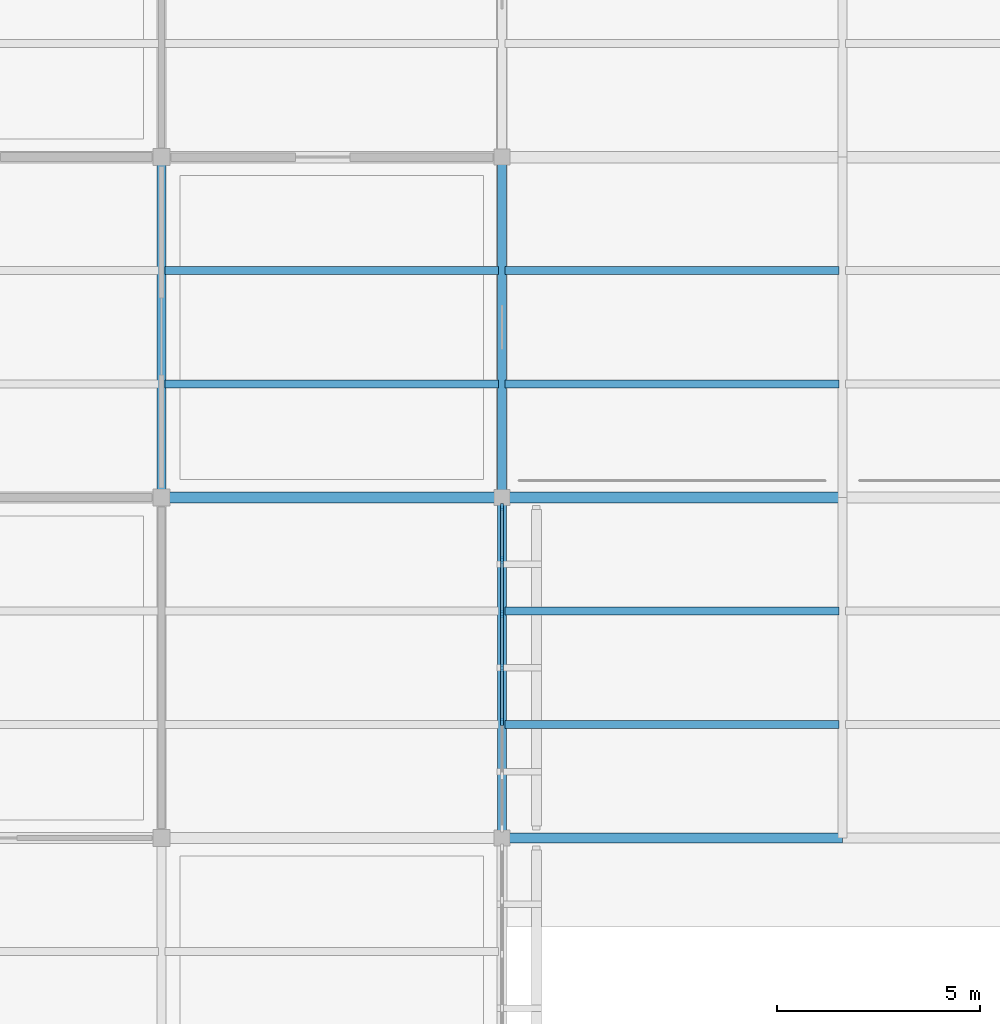
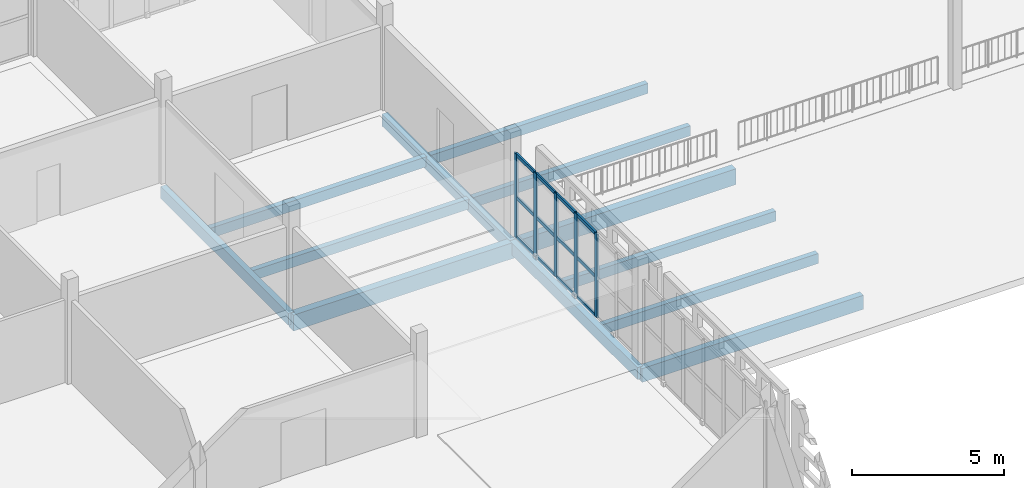
# One storey, part 22 of 166: 17 members, 12 beams, 1 element without a shape of its own.
"""IFC4 building model written with IfcOpenShell, lengths in metres."""

from ifc_helpers import new_model, si_unit, direction, frame, origin, origin_2d, place, context, subcontext, project, spatial, rectangle, extrude, material, layer, layer_set, material_profile, profile_set, type_object, element, aggregate, save


model = new_model("IFC4")

# Units and contexts
model_context = context("Model", 3, precision=1e-05, world=origin(), true_north=direction((0.0, 1.0)))
body_context = subcontext(model_context, "Body", "Model", "MODEL_VIEW")
ifc_project = project(units=[si_unit("LENGTHUNIT", "METRE"), si_unit("AREAUNIT", "SQUARE_METRE"), si_unit("VOLUMEUNIT", "CUBIC_METRE"), si_unit("PLANEANGLEUNIT", "RADIAN"), si_unit("MASSUNIT", "GRAM", prefix="KILO")], contexts=[model_context])

# Site, building, storey
site_placement = place(None, origin())
site = spatial("IfcSite", under=ifc_project, at=site_placement, CompositionType="ELEMENT")
building_placement = place(site_placement, origin())
building = spatial("IfcBuilding", under=site, at=building_placement, Name="Varnapada Polytechnic", CompositionType="ELEMENT")
storey_placement = place(building_placement, frame((0.0, 0.0, 9.60009765625)))
storey = spatial("IfcBuildingStorey", under=building, at=storey_placement, Name="L02", CompositionType="ELEMENT", Elevation=9.60009765625)

# Beams
ifc_material_1 = material(Name="Glulam GL32h", Category="wood")
ifc_material_profile_1 = material_profile(ifc_material_1, rectangle(XDim=0.280029296875, YDim=0.639892578125, at=origin_2d()), Name="GL 280x640")
ifc_profile_set_1 = profile_set([ifc_material_profile_1], Name="Glulam GL32h")
beam_type_1 = type_object("IfcBeamType", Name="Laboratory primary glulam girder GG-02 (GL 280x640)", PredefinedType="BEAM", material=ifc_profile_set_1)
beam_1_placement = place(storey_placement, frame((50.39990234375, 25.199951171875, -0.590087890625), z_axis=(1.0, 0.0, 0.0), x_axis=(0.0, 1.0, 0.0)))
element("IfcBeam", 1, at=beam_1_placement, inside=storey, type_object=beam_type_1, Name="L02 beam X 7-8 at Y4", PredefinedType="BEAM", context=body_context, shape_type="SweptSolid", body=[
    extrude(rectangle(XDim=0.280029296875, YDim=0.639892578125, at=origin_2d()), origin(), (0.0, 0.0, 1.0), 8.400146484375),
])
beam_2_placement = place(storey_placement, frame((58.800048828125, 25.199951171875, -0.590087890625), z_axis=(1.0, 0.0, 0.0), x_axis=(0.0, 1.0, 0.0)))
element("IfcBeam", 2, at=beam_2_placement, inside=storey, type_object=beam_type_1, Name="L02 beam X 8-9 at Y4", PredefinedType="BEAM", context=body_context, shape_type="SweptSolid", body=[
    extrude(rectangle(XDim=0.280029296875, YDim=0.639892578125, at=origin_2d()), origin(), (0.0, 0.0, 1.0), 8.39990234375),
])
ifc_material_profile_2 = material_profile(ifc_material_1, rectangle(XDim=0.199951171875, YDim=0.39990234375, at=origin_2d()), Name="GL 200x400")
ifc_profile_set_2 = profile_set([ifc_material_profile_2], Name="Glulam GL32h")
beam_type_2 = type_object("IfcBeamType", Name="Library/laboratory glulam floor joist GJ-01 (GL 200x400)", PredefinedType="JOIST", material=ifc_profile_set_2)
for number, where, z_axis, x_axis, name in (
    (3, (50.47998046875, 28.0, -0.440185546875), (1.0, 0.0, 0.0), (0.0, 1.0, 0.0), "L02 floor joist 7/4.1"),
    (4, (50.47998046875, 30.800048828125, -0.440185546875), (1.0, 0.0, 0.0), (0.0, 1.0, 0.0), "L02 floor joist 7/4.2"),
):
    element("IfcBeam", number, at=place(storey_placement, frame(where, z_axis=z_axis, x_axis=x_axis)), inside=storey, type_object=beam_type_2, Name=name, PredefinedType="JOIST", context=body_context, shape_type="SweptSolid", body=[
        extrude(rectangle(XDim=0.199951171875, YDim=0.39990234375, at=origin_2d()), origin(), (0.0, 0.0, 1.0), 8.239990234375),
    ])
for number, where, z_axis, x_axis, name in (
    (5, (58.8798828125, 19.60009765625, -0.47021484375), (1.0, 0.0, 0.0), (0.0, 1.0, 0.0), "L02 floor joist 8/3.1"),
    (6, (58.8798828125, 22.39990234375, -0.47021484375), (1.0, 0.0, 0.0), (0.0, 1.0, 0.0), "L02 floor joist 8/3.2"),
    (7, (58.8798828125, 28.0, -0.440185546875), (1.0, 0.0, 0.0), (0.0, 1.0, 0.0), "L02 floor joist 8/4.1"),
    (8, (58.8798828125, 30.800048828125, -0.440185546875), (1.0, 0.0, 0.0), (0.0, 1.0, 0.0), "L02 floor joist 8/4.2"),
):
    element("IfcBeam", number, at=place(storey_placement, frame(where, z_axis=z_axis, x_axis=x_axis)), inside=storey, type_object=beam_type_2, Name=name, PredefinedType="JOIST", context=body_context, shape_type="SweptSolid", body=[
        extrude(rectangle(XDim=0.199951171875, YDim=0.39990234375, at=origin_2d()), origin(), (0.0, 0.0, 1.0), 8.240234375),
    ])

# Curtain wall, members
ifc_material_2 = material(Name="Double low-E laminated glass", Category="glass")
ifc_layer = layer(ifc_material_2, 0.179931640625)
ifc_layer_set = layer_set([ifc_layer], Name="Double low-E laminated glass")
curtain_wall_type = type_object("IfcCurtainWallType", Name="Curtain Wall CW-04", PredefinedType="NOTDEFINED", material=ifc_layer_set)
curtain_wall_placement = place(storey_placement, origin())
curtain_wall = element("IfcCurtainWall", 9, at=curtain_wall_placement, inside=storey, type_object=curtain_wall_type, Name="L02 unitised curtain wall CW-04 (156)", PredefinedType="NOTDEFINED")
ifc_material_3 = material(Name="Anodised aluminium", Category="aluminium")
ifc_material_profile_3 = material_profile(ifc_material_3, rectangle(XDim=0.06494140625, YDim=0.179931640625, at=origin_2d()), Name="ALU M65x180")
ifc_profile_set_3 = profile_set([ifc_material_profile_3], Name="Anodised aluminium")
member_type_1 = type_object("IfcMemberType", Name="Mullion M-02", PredefinedType="MULLION", material=ifc_profile_set_3)
member_1_placement = place(storey_placement, frame((58.800048828125, 24.967529296875, 0.0), z_axis=(0.0, 0.0, 1.0), x_axis=(1.0, 0.0, 0.0)))
member_1 = element("IfcMember", 10, at=member_1_placement, type_object=member_type_1, Name="CW-04 mullion 1", PredefinedType="MULLION", context=body_context, shape_type="SweptSolid", body=[
    extrude(rectangle(XDim=0.06494140625, YDim=0.179931640625, at=origin_2d()), origin(), (0.0, 0.0, 1.0), 3.35986328125),
])
member_2_placement = place(storey_placement, frame((58.800048828125, 23.666748046875, 0.0), z_axis=(0.0, 0.0, 1.0), x_axis=(1.0, 0.0, 0.0)))
member_2 = element("IfcMember", 11, at=member_2_placement, type_object=member_type_1, Name="CW-04 mullion 2", PredefinedType="MULLION", context=body_context, shape_type="SweptSolid", body=[
    extrude(rectangle(XDim=0.06494140625, YDim=0.179931640625, at=origin_2d()), origin(), (0.0, 0.0, 1.0), 3.35986328125),
])
member_3_placement = place(storey_placement, frame((58.800048828125, 22.333251953125, 0.0), z_axis=(0.0, 0.0, 1.0), x_axis=(1.0, 0.0, 0.0)))
member_3 = element("IfcMember", 12, at=member_3_placement, type_object=member_type_1, Name="CW-04 mullion 3", PredefinedType="MULLION", context=body_context, shape_type="SweptSolid", body=[
    extrude(rectangle(XDim=0.06494140625, YDim=0.179931640625, at=origin_2d()), origin(), (0.0, 0.0, 1.0), 3.35986328125),
])
member_4_placement = place(storey_placement, frame((58.800048828125, 21.0, 0.0), z_axis=(0.0, 0.0, 1.0), x_axis=(1.0, 0.0, 0.0)))
member_4 = element("IfcMember", 13, at=member_4_placement, type_object=member_type_1, Name="CW-04 mullion 4", PredefinedType="MULLION", context=body_context, shape_type="SweptSolid", body=[
    extrude(rectangle(XDim=0.06494140625, YDim=0.179931640625, at=origin_2d()), origin(), (0.0, 0.0, 1.0), 3.35986328125),
])
member_5_placement = place(storey_placement, frame((58.800048828125, 19.666748046875, 0.0), z_axis=(0.0, 0.0, 1.0), x_axis=(1.0, 0.0, 0.0)))
member_5 = element("IfcMember", 14, at=member_5_placement, type_object=member_type_1, Name="CW-04 mullion 5", PredefinedType="MULLION", context=body_context, shape_type="SweptSolid", body=[
    extrude(rectangle(XDim=0.06494140625, YDim=0.179931640625, at=origin_2d()), origin(), (0.0, 0.0, 1.0), 3.35986328125),
])

# Beam
ifc_material_profile_4 = material_profile(ifc_material_1, rectangle(XDim=0.239990234375, YDim=0.56005859375, at=origin_2d()), Name="GL 240x560")
ifc_profile_set_4 = profile_set([ifc_material_profile_4], Name="Glulam GL32h")
beam_type_3 = type_object("IfcBeamType", Name="Perimeter glulam spandrel beam SP-02 (GL 240x560)", PredefinedType="SPANDREL", material=ifc_profile_set_4)
beam_3_placement = place(storey_placement, frame((58.800048828125, 16.800048828125, -0.550048828125), z_axis=(1.0, 0.0, 0.0), x_axis=(0.0, 1.0, 0.0)))
element("IfcBeam", 15, at=beam_3_placement, inside=storey, type_object=beam_type_3, Name="L02 beam X 8-9 at Y3", PredefinedType="SPANDREL", context=body_context, shape_type="SweptSolid", body=[
    extrude(rectangle(XDim=0.239990234375, YDim=0.56005859375, at=origin_2d()), origin(), (0.0, 0.0, 1.0), 8.39990234375),
])

# Member
ifc_material_profile_5 = material_profile(ifc_material_3, rectangle(XDim=0.06494140625, YDim=0.139892578125, at=origin_2d()), Name="ALU T65x140")
ifc_profile_set_5 = profile_set([ifc_material_profile_5], Name="Anodised aluminium")
member_type_2 = type_object("IfcMemberType", Name="Transom T-02", PredefinedType="USERDEFINED", material=ifc_profile_set_5)
member_6_placement = place(storey_placement, frame((58.800048828125, 24.93505859375, 0.032470703125), z_axis=(0.0, -1.0, 0.0), x_axis=(1.0, 0.0, 0.0)))
member_6 = element("IfcMember", 16, at=member_6_placement, type_object=member_type_2, Name="CW-04 transom 1.1", ObjectType="TRANSOM", PredefinedType="USERDEFINED", context=body_context, shape_type="SweptSolid", body=[
    extrude(rectangle(XDim=0.06494140625, YDim=0.139892578125, at=origin_2d()), origin(), (0.0, 0.0, 1.0), 1.23583984375),
])

member_7_placement = place(storey_placement, frame((58.800048828125, 24.93505859375, 1.61279296875), z_axis=(0.0, -1.0, 0.0), x_axis=(1.0, 0.0, 0.0)))
member_7 = element("IfcMember", 17, at=member_7_placement, type_object=member_type_2, Name="CW-04 transom 1.2", ObjectType="TRANSOM", PredefinedType="USERDEFINED", context=body_context, shape_type="SweptSolid", body=[
    extrude(rectangle(XDim=0.06494140625, YDim=0.139892578125, at=origin_2d()), origin(), (0.0, 0.0, 1.0), 1.23583984375),
])

member_8_placement = place(storey_placement, frame((58.800048828125, 24.93505859375, 3.327392578125), z_axis=(0.0, -1.0, 0.0), x_axis=(1.0, 0.0, 0.0)))
member_8 = element("IfcMember", 18, at=member_8_placement, type_object=member_type_2, Name="CW-04 transom 1.3", ObjectType="TRANSOM", PredefinedType="USERDEFINED", context=body_context, shape_type="SweptSolid", body=[
    extrude(rectangle(XDim=0.06494140625, YDim=0.139892578125, at=origin_2d()), origin(), (0.0, 0.0, 1.0), 1.23583984375),
])

member_9_placement = place(storey_placement, frame((58.800048828125, 23.63427734375, 0.032470703125), z_axis=(0.0, -1.0, 0.0), x_axis=(1.0, 0.0, 0.0)))
member_9 = element("IfcMember", 19, at=member_9_placement, type_object=member_type_2, Name="CW-04 transom 2.1", ObjectType="TRANSOM", PredefinedType="USERDEFINED", context=body_context, shape_type="SweptSolid", body=[
    extrude(rectangle(XDim=0.06494140625, YDim=0.139892578125, at=origin_2d()), origin(), (0.0, 0.0, 1.0), 1.2685546875),
])

member_10_placement = place(storey_placement, frame((58.800048828125, 23.63427734375, 1.61279296875), z_axis=(0.0, -1.0, 0.0), x_axis=(1.0, 0.0, 0.0)))
member_10 = element("IfcMember", 20, at=member_10_placement, type_object=member_type_2, Name="CW-04 transom 2.2", ObjectType="TRANSOM", PredefinedType="USERDEFINED", context=body_context, shape_type="SweptSolid", body=[
    extrude(rectangle(XDim=0.06494140625, YDim=0.139892578125, at=origin_2d()), origin(), (0.0, 0.0, 1.0), 1.2685546875),
])

member_11_placement = place(storey_placement, frame((58.800048828125, 23.63427734375, 3.327392578125), z_axis=(0.0, -1.0, 0.0), x_axis=(1.0, 0.0, 0.0)))
member_11 = element("IfcMember", 21, at=member_11_placement, type_object=member_type_2, Name="CW-04 transom 2.3", ObjectType="TRANSOM", PredefinedType="USERDEFINED", context=body_context, shape_type="SweptSolid", body=[
    extrude(rectangle(XDim=0.06494140625, YDim=0.139892578125, at=origin_2d()), origin(), (0.0, 0.0, 1.0), 1.2685546875),
])

member_12_placement = place(storey_placement, frame((58.800048828125, 22.30078125, 0.032470703125), z_axis=(0.0, -1.0, 0.0), x_axis=(1.0, 0.0, 0.0)))
member_12 = element("IfcMember", 22, at=member_12_placement, type_object=member_type_2, Name="CW-04 transom 3.1", ObjectType="TRANSOM", PredefinedType="USERDEFINED", context=body_context, shape_type="SweptSolid", body=[
    extrude(rectangle(XDim=0.06494140625, YDim=0.139892578125, at=origin_2d()), origin(), (0.0, 0.0, 1.0), 1.268310546875),
])

member_13_placement = place(storey_placement, frame((58.800048828125, 22.30078125, 1.61279296875), z_axis=(0.0, -1.0, 0.0), x_axis=(1.0, 0.0, 0.0)))
member_13 = element("IfcMember", 23, at=member_13_placement, type_object=member_type_2, Name="CW-04 transom 3.2", ObjectType="TRANSOM", PredefinedType="USERDEFINED", context=body_context, shape_type="SweptSolid", body=[
    extrude(rectangle(XDim=0.06494140625, YDim=0.139892578125, at=origin_2d()), origin(), (0.0, 0.0, 1.0), 1.268310546875),
])

member_14_placement = place(storey_placement, frame((58.800048828125, 22.30078125, 3.327392578125), z_axis=(0.0, -1.0, 0.0), x_axis=(1.0, 0.0, 0.0)))
member_14 = element("IfcMember", 24, at=member_14_placement, type_object=member_type_2, Name="CW-04 transom 3.3", ObjectType="TRANSOM", PredefinedType="USERDEFINED", context=body_context, shape_type="SweptSolid", body=[
    extrude(rectangle(XDim=0.06494140625, YDim=0.139892578125, at=origin_2d()), origin(), (0.0, 0.0, 1.0), 1.268310546875),
])

member_15_placement = place(storey_placement, frame((58.800048828125, 20.967529296875, 0.032470703125), z_axis=(0.0, -1.0, 0.0), x_axis=(1.0, 0.0, 0.0)))
member_15 = element("IfcMember", 25, at=member_15_placement, type_object=member_type_2, Name="CW-04 transom 4.1", ObjectType="TRANSOM", PredefinedType="USERDEFINED", context=body_context, shape_type="SweptSolid", body=[
    extrude(rectangle(XDim=0.06494140625, YDim=0.139892578125, at=origin_2d()), origin(), (0.0, 0.0, 1.0), 1.268310546875),
])

member_16_placement = place(storey_placement, frame((58.800048828125, 20.967529296875, 1.61279296875), z_axis=(0.0, -1.0, 0.0), x_axis=(1.0, 0.0, 0.0)))
member_16 = element("IfcMember", 26, at=member_16_placement, type_object=member_type_2, Name="CW-04 transom 4.2", ObjectType="TRANSOM", PredefinedType="USERDEFINED", context=body_context, shape_type="SweptSolid", body=[
    extrude(rectangle(XDim=0.06494140625, YDim=0.139892578125, at=origin_2d()), origin(), (0.0, 0.0, 1.0), 1.268310546875),
])

member_17_placement = place(storey_placement, frame((58.800048828125, 20.967529296875, 3.327392578125), z_axis=(0.0, -1.0, 0.0), x_axis=(1.0, 0.0, 0.0)))
member_17 = element("IfcMember", 27, at=member_17_placement, type_object=member_type_2, Name="CW-04 transom 4.3", ObjectType="TRANSOM", PredefinedType="USERDEFINED", context=body_context, shape_type="SweptSolid", body=[
    extrude(rectangle(XDim=0.06494140625, YDim=0.139892578125, at=origin_2d()), origin(), (0.0, 0.0, 1.0), 1.268310546875),
])

aggregate(curtain_wall, [member_1, member_2, member_3, member_4, member_5, member_6, member_7, member_8, member_9, member_10, member_11, member_12, member_13, member_14, member_15, member_16, member_17])

# Beams
ifc_material_profile_6 = material_profile(ifc_material_1, rectangle(XDim=0.219970703125, YDim=0.47998046875, at=origin_2d()), Name="GL 220x480")
ifc_profile_set_6 = profile_set([ifc_material_profile_6], Name="Glulam GL32h")
beam_type_4 = type_object("IfcBeamType", Name="Upper floor glulam tie beam GB-11 (GL 220x480)", PredefinedType="BEAM", material=ifc_profile_set_6)
beam_4_placement = place(storey_placement, frame((50.39990234375, 25.199951171875, -0.47998046875), z_axis=(0.0, 1.0, 0.0), x_axis=(-1.0, 0.0, 0.0)))
element("IfcBeam", 28, at=beam_4_placement, inside=storey, type_object=beam_type_4, Name="L02 beam Y 4-5 at X7", PredefinedType="BEAM", context=body_context, shape_type="SweptSolid", body=[
    extrude(rectangle(XDim=0.219970703125, YDim=0.47998046875, at=origin_2d()), origin(), (0.0, 0.0, 1.0), 8.400146484375),
])
beam_5_placement = place(storey_placement, frame((58.800048828125, 16.800048828125, -0.510009765625), z_axis=(0.0, 1.0, 0.0), x_axis=(-1.0, 0.0, 0.0)))
element("IfcBeam", 29, at=beam_5_placement, inside=storey, type_object=beam_type_4, Name="L02 beam Y 3-4 at X8", PredefinedType="BEAM", context=body_context, shape_type="SweptSolid", body=[
    extrude(rectangle(XDim=0.219970703125, YDim=0.47998046875, at=origin_2d()), origin(), (0.0, 0.0, 1.0), 8.39990234375),
])
beam_6_placement = place(storey_placement, frame((58.800048828125, 25.199951171875, -0.510009765625), z_axis=(0.0, 1.0, 0.0), x_axis=(-1.0, 0.0, 0.0)))
element("IfcBeam", 30, at=beam_6_placement, inside=storey, type_object=beam_type_4, Name="L02 beam Y 4-5 at X8", PredefinedType="BEAM", context=body_context, shape_type="SweptSolid", body=[
    extrude(rectangle(XDim=0.219970703125, YDim=0.47998046875, at=origin_2d()), origin(), (0.0, 0.0, 1.0), 8.400146484375),
])

save(model, "model.ifc")
